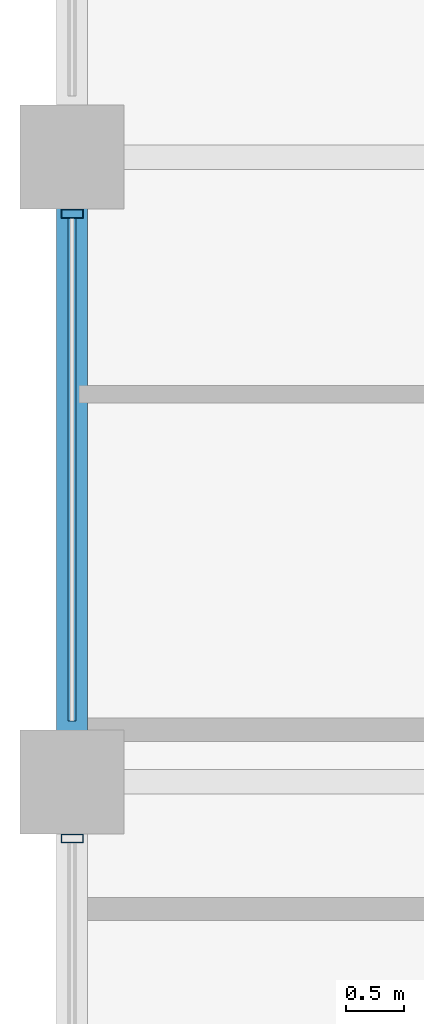
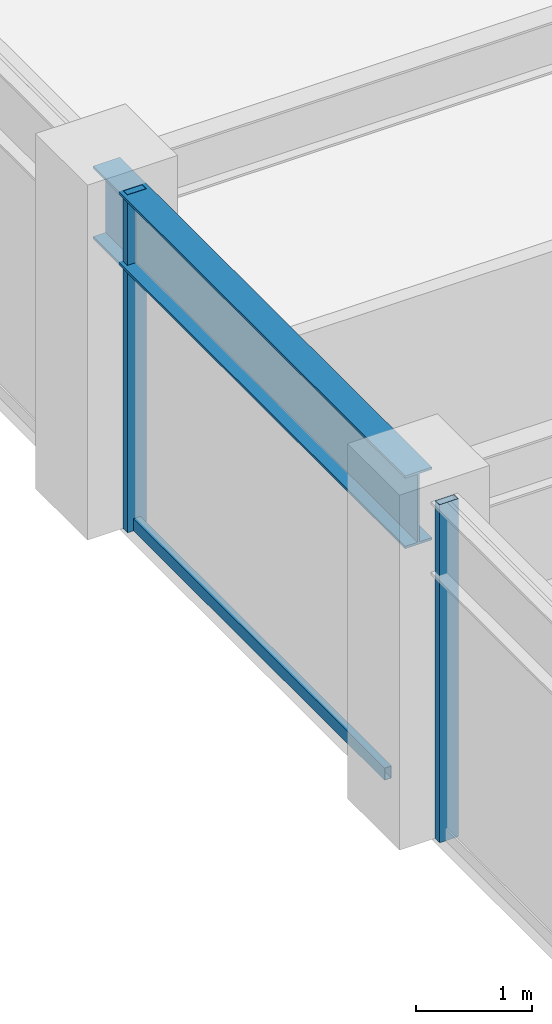
# One storey, part 10 of 32: 3 members, 1 beam, 1 element without a shape of its own.
"""IFC4 building model written with IfcOpenShell, lengths in metres."""

from ifc_helpers import new_model, si_unit, direction, frame, origin, origin_2d, place, context, subcontext, project, spatial, hollow_rectangle, i_section, extrude, material, layer, layer_set, material_profile, profile_set, type_object, element, aggregate, save


model = new_model("IFC4")

# Units and contexts
model_context = context("Model", 3, precision=1e-05, world=origin(), true_north=direction((0.0, 1.0)))
body_context = subcontext(model_context, "Body", "Model", "MODEL_VIEW")
ifc_project = project(units=[si_unit("LENGTHUNIT", "METRE"), si_unit("AREAUNIT", "SQUARE_METRE"), si_unit("VOLUMEUNIT", "CUBIC_METRE"), si_unit("PLANEANGLEUNIT", "RADIAN"), si_unit("MASSUNIT", "GRAM", prefix="KILO")], contexts=[model_context])

# Site, building, storey
site_placement = place(None, origin())
site = spatial("IfcSite", under=ifc_project, at=site_placement, CompositionType="ELEMENT")
building_placement = place(site_placement, origin())
building = spatial("IfcBuilding", under=site, at=building_placement, Name="Surkhivell Harbour Commons", CompositionType="ELEMENT")
storey_placement = place(building_placement, frame((0.0, 0.0, 201.0)))
storey = spatial("IfcBuildingStorey", under=building, at=storey_placement, Name="L52", CompositionType="ELEMENT", Elevation=201.0)

# Beam
ifc_material_1 = material(Name="Steel S355", Category="steel")
ifc_material_profile_1 = material_profile(ifc_material_1, i_section(OverallWidth=0.26806640625, OverallDepth=0.77001953125, WebThickness=0.015625, FlangeThickness=0.025390625, at=origin_2d()), Name="UB762x267x197")
ifc_profile_set_1 = profile_set([ifc_material_profile_1], Name="Steel S355")
beam_type = type_object("IfcBeamType", Name="BM-SPN-762", PredefinedType="SPANDREL", material=ifc_profile_set_1)
beam_placement = place(storey_placement, frame((-27.0, 5.39990234375, 3.18505859375), z_axis=(0.0, 1.0, 0.0), x_axis=(-1.0, 0.0, 0.0)))
element("IfcBeam", 1, at=beam_placement, inside=storey, type_object=beam_type, Name="L52 Tube Spandrel (-27.0,5.4)", PredefinedType="SPANDREL", context=body_context, shape_type="SweptSolid", body=[
    extrude(i_section(OverallWidth=0.26806640625, OverallDepth=0.77001953125, WebThickness=0.015625, FlangeThickness=0.025390625, at=origin_2d()), origin(), (0.0, 0.0, 1.0), 5.400146484375),
])

# Curtain wall, members
ifc_material_2 = material(Name="Anodised pale-metal aluminium and insulated glazing", Category="aluminium")
ifc_layer = layer(ifc_material_2, 0.18994140625)
ifc_layer_set = layer_set([ifc_layer], Name="Anodised pale-metal aluminium and insulated glazing")
curtain_wall_type = type_object("IfcCurtainWallType", Name="CW-SYS-Z3", PredefinedType="NOTDEFINED", material=ifc_layer_set)
curtain_wall_placement = place(storey_placement, origin())
curtain_wall = element("IfcCurtainWall", 2, at=curtain_wall_placement, inside=storey, type_object=curtain_wall_type, Name="L52 Curtain Wall CW-L52-E12S1", PredefinedType="NOTDEFINED")
ifc_material_3 = material(Name="Anodised pale-metal aluminium alloy 6063-T6", Category="aluminium")
ifc_material_profile_2 = material_profile(ifc_material_3, hollow_rectangle(XDim=0.074951171875, YDim=0.18994140625, WallThickness=0.00390625, at=origin_2d()), Name="ALU-MULL-75x190")
ifc_profile_set_2 = profile_set([ifc_material_profile_2], Name="Anodised pale-metal aluminium alloy 6063-T6")
member_type_1 = type_object("IfcMemberType", Name="CWM-190", PredefinedType="MULLION", material=ifc_profile_set_2)
member_1_placement = place(storey_placement, frame((-27.0, 10.310546875, 0.0), z_axis=(0.0, 0.0, 1.0), x_axis=(0.0, -1.0, 0.0)))
member_1 = element("IfcMember", 3, at=member_1_placement, type_object=member_type_1, Name="CW-Z3 mullion 3", PredefinedType="MULLION", context=body_context, shape_type="SweptSolid", body=[
    extrude(hollow_rectangle(XDim=0.074951171875, YDim=0.18994140625, WallThickness=0.00390625, at=origin_2d()), origin(), (0.0, 0.0, 1.0), 3.570068359375),
])
member_2_placement = place(storey_placement, frame((-27.0, 4.910400390625, 0.0), z_axis=(0.0, 0.0, 1.0), x_axis=(0.0, -1.0, 0.0)))
member_2 = element("IfcMember", 4, at=member_2_placement, type_object=member_type_1, Name="CW-Z3 mullion 4", PredefinedType="MULLION", context=body_context, shape_type="SweptSolid", body=[
    extrude(hollow_rectangle(XDim=0.074951171875, YDim=0.18994140625, WallThickness=0.00390625, at=origin_2d()), origin(), (0.0, 0.0, 1.0), 3.570068359375),
])
ifc_material_4 = material(Name="Champagne anodised aluminium alloy 6063-T6", Category="aluminium")
ifc_material_profile_3 = material_profile(ifc_material_4, hollow_rectangle(XDim=0.070068359375, YDim=0.1298828125, WallThickness=0.00341796875, at=origin_2d()), Name="ALU-TRAN-70x130")
ifc_profile_set_3 = profile_set([ifc_material_profile_3], Name="Champagne anodised aluminium alloy 6063-T6")
member_type_2 = type_object("IfcMemberType", Name="CWT-130", PredefinedType="USERDEFINED", material=ifc_profile_set_3)
member_3_placement = place(storey_placement, frame((-27.0, 10.27294921875, 0.06494140625), z_axis=(0.0, -1.0, 0.0), x_axis=(1.0, 0.0, 0.0)))
member_3 = element("IfcMember", 5, at=member_3_placement, type_object=member_type_2, Name="CW-Z3 transom 3.1", ObjectType="TRANSOM", PredefinedType="USERDEFINED", context=body_context, shape_type="SweptSolid", body=[
    extrude(hollow_rectangle(XDim=0.070068359375, YDim=0.1298828125, WallThickness=0.00341796875, at=origin_2d()), origin(), (0.0, 0.0, 1.0), 4.345947265625),
])
aggregate(curtain_wall, [member_1, member_3, member_2])

save(model, "model.ifc")
